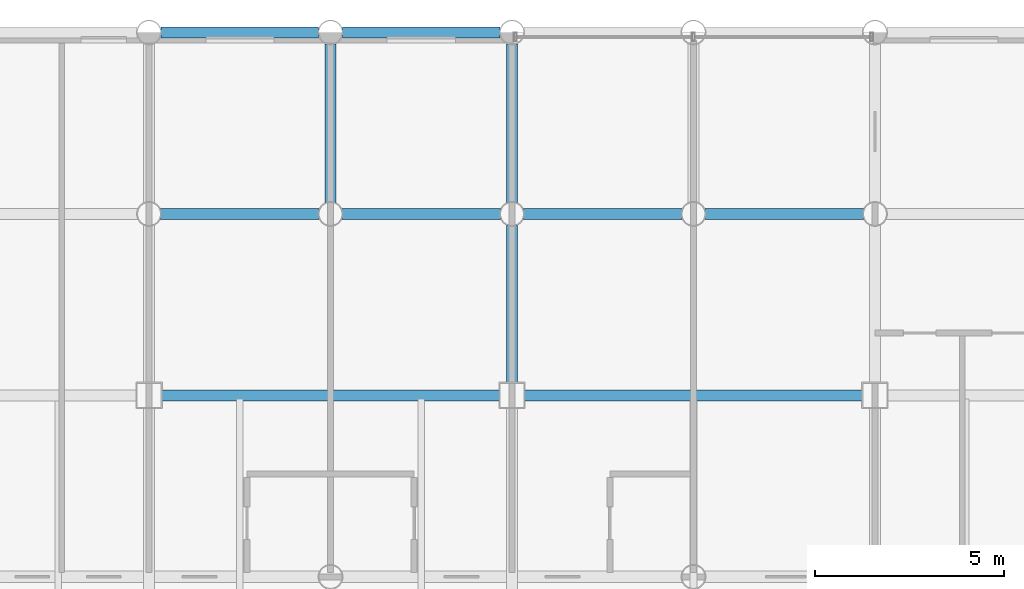
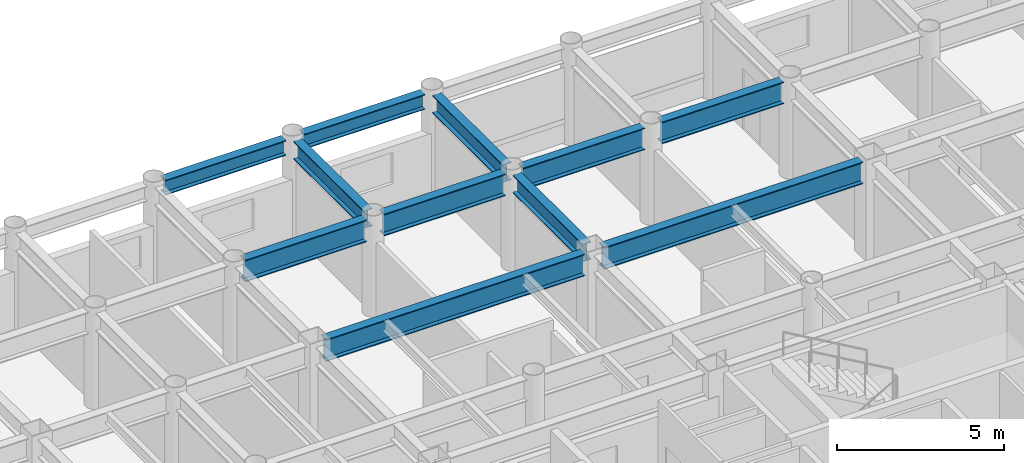
# One storey, part 12 of 22: 11 beams.
"""IFC4 building model written with IfcOpenShell, lengths in metres."""

from ifc_helpers import new_model, si_unit, direction, frame, origin, origin_2d, place, context, subcontext, project, spatial, i_section, extrude, material, material_profile, profile_set, type_object, element, save


model = new_model("IFC4")

# Units and contexts
model_context = context("Model", 3, precision=1e-05, world=origin(), true_north=direction((0.0, 1.0)))
body_context = subcontext(model_context, "Body", "Model", "MODEL_VIEW")
ifc_project = project(units=[si_unit("LENGTHUNIT", "METRE"), si_unit("AREAUNIT", "SQUARE_METRE"), si_unit("VOLUMEUNIT", "CUBIC_METRE"), si_unit("PLANEANGLEUNIT", "RADIAN"), si_unit("MASSUNIT", "GRAM", prefix="KILO")], contexts=[model_context])

# Site, building, storey
site_placement = place(None, origin())
site = spatial("IfcSite", under=ifc_project, at=site_placement, CompositionType="ELEMENT")
building_placement = place(site_placement, origin())
building = spatial("IfcBuilding", under=site, at=building_placement, Name="Kallvorn Hotel Tower", CompositionType="ELEMENT")
storey_placement = place(building_placement, frame((0.0, 0.0, 113.699951171875)))
storey = spatial("IfcBuildingStorey", under=building, at=storey_placement, Name="L27", CompositionType="ELEMENT", Elevation=113.699951171875)

# Beams
ifc_material_1 = material(Name="Structural steel S355JR", Category="steel")
ifc_material_profile_1 = material_profile(ifc_material_1, i_section(OverallWidth=0.300048828125, OverallDepth=0.550048828125, WebThickness=0.014892578125, FlangeThickness=0.029052734375, at=origin_2d()), Name="HE 550 B")
ifc_profile_set_1 = profile_set([ifc_material_profile_1], Name="Structural steel S355JR")
beam_type_1 = type_object("IfcBeamType", Name="BM_HE550B", PredefinedType="SPANDREL", material=ifc_profile_set_1)
beam_1_placement = place(storey_placement, frame((-14.080078125, 24.0, 3.2451171875), z_axis=(1.0, 0.0, 0.0), x_axis=(0.0, 1.0, 0.0)))
element("IfcBeam", 1, at=beam_1_placement, inside=storey, type_object=beam_type_1, Name="L28 Perimeter Spandrel 165", PredefinedType="SPANDREL", context=body_context, shape_type="SweptSolid", body=[
    extrude(i_section(OverallWidth=0.300048828125, OverallDepth=0.550048828125, WebThickness=0.014892578125, FlangeThickness=0.029052734375, at=origin_2d()), origin(), (0.0, 0.0, 1.0), 4.16015625),
])
beam_2_placement = place(storey_placement, frame((-9.280029296875, 24.0, 3.2451171875), z_axis=(1.0, 0.0, 0.0), x_axis=(0.0, 1.0, 0.0)))
element("IfcBeam", 2, at=beam_2_placement, inside=storey, type_object=beam_type_1, Name="L28 Perimeter Spandrel 166", PredefinedType="SPANDREL", context=body_context, shape_type="SweptSolid", body=[
    extrude(i_section(OverallWidth=0.300048828125, OverallDepth=0.550048828125, WebThickness=0.014892578125, FlangeThickness=0.029052734375, at=origin_2d()), origin(), (0.0, 0.0, 1.0), 4.159912109375),
])
ifc_material_2 = material(Name="Structural steel S355JR", Category="steel")
ifc_material_profile_2 = material_profile(ifc_material_2, i_section(OverallWidth=0.300048828125, OverallDepth=0.64990234375, WebThickness=0.01611328125, FlangeThickness=0.031005859375, at=origin_2d()), Name="HE 650 B")
ifc_profile_set_2 = profile_set([ifc_material_profile_2], Name="Structural steel S355JR")
beam_type_2 = type_object("IfcBeamType", Name="BM_HE650B", PredefinedType="BEAM", material=ifc_profile_set_2)
beam_3_placement = place(storey_placement, frame((-9.60009765625, 19.5048828125, 3.195068359375), z_axis=(0.0, 1.0, 0.0), x_axis=(-1.0, 0.0, 0.0)))
element("IfcBeam", 3, at=beam_3_placement, inside=storey, type_object=beam_type_2, Name="L28 Primary Y-Girder 104", PredefinedType="BEAM", context=body_context, shape_type="SweptSolid", body=[
    extrude(i_section(OverallWidth=0.300048828125, OverallDepth=0.64990234375, WebThickness=0.01611328125, FlangeThickness=0.031005859375, at=origin_2d()), origin(), (0.0, 0.0, 1.0), 4.190185546875),
])
beam_4_placement = place(storey_placement, frame((-4.800048828125, 14.72509765625, 3.195068359375), z_axis=(0.0, 1.0, 0.0), x_axis=(-1.0, 0.0, 0.0)))
element("IfcBeam", 4, at=beam_4_placement, inside=storey, type_object=beam_type_2, Name="L28 Primary Y-Girder 108", PredefinedType="BEAM", context=body_context, shape_type="SweptSolid", body=[
    extrude(i_section(OverallWidth=0.300048828125, OverallDepth=0.64990234375, WebThickness=0.01611328125, FlangeThickness=0.031005859375, at=origin_2d()), origin(), (0.0, 0.0, 1.0), 4.169921875),
])
beam_5_placement = place(storey_placement, frame((-4.800048828125, 19.5048828125, 3.195068359375), z_axis=(0.0, 1.0, 0.0), x_axis=(-1.0, 0.0, 0.0)))
element("IfcBeam", 5, at=beam_5_placement, inside=storey, type_object=beam_type_2, Name="L28 Primary Y-Girder 109", PredefinedType="BEAM", context=body_context, shape_type="SweptSolid", body=[
    extrude(i_section(OverallWidth=0.300048828125, OverallDepth=0.64990234375, WebThickness=0.01611328125, FlangeThickness=0.031005859375, at=origin_2d()), origin(), (0.0, 0.0, 1.0), 4.190185546875),
])
ifc_material_3 = material(Name="Structural steel S355JR", Category="steel")
ifc_material_profile_3 = material_profile(ifc_material_3, i_section(OverallWidth=0.300048828125, OverallDepth=0.800048828125, WebThickness=0.017578125, FlangeThickness=0.032958984375, at=origin_2d()), Name="HE 800 B")
ifc_profile_set_3 = profile_set([ifc_material_profile_3], Name="Structural steel S355JR")
beam_type_3 = type_object("IfcBeamType", Name="BM_HE800B", PredefinedType="BEAM", material=ifc_profile_set_3)
beam_6_placement = place(storey_placement, frame((-14.074951171875, 14.39990234375, 3.1201171875), z_axis=(1.0, 0.0, 0.0), x_axis=(0.0, 1.0, 0.0)))
element("IfcBeam", 6, at=beam_6_placement, inside=storey, type_object=beam_type_3, Name="L28 Primary X-Girder 53", PredefinedType="BEAM", context=body_context, shape_type="SweptSolid", body=[
    extrude(i_section(OverallWidth=0.300048828125, OverallDepth=0.800048828125, WebThickness=0.017578125, FlangeThickness=0.032958984375, at=origin_2d()), origin(), (0.0, 0.0, 1.0), 8.949951171875),
])
beam_7_placement = place(storey_placement, frame((-4.47509765625, 14.39990234375, 3.1201171875), z_axis=(1.0, 0.0, 0.0), x_axis=(0.0, 1.0, 0.0)))
element("IfcBeam", 7, at=beam_7_placement, inside=storey, type_object=beam_type_3, Name="L28 Primary X-Girder 54", PredefinedType="BEAM", context=body_context, shape_type="SweptSolid", body=[
    extrude(i_section(OverallWidth=0.300048828125, OverallDepth=0.800048828125, WebThickness=0.017578125, FlangeThickness=0.032958984375, at=origin_2d()), origin(), (0.0, 0.0, 1.0), 8.9501953125),
])
for number, where, z_axis, x_axis, name in (
    (8, (-14.094970703125, 19.199951171875, 3.1201171875), (1.0, 0.0, 0.0), (0.0, 1.0, 0.0), "L28 Primary X-Girder 63"),
    (9, (-9.294921875, 19.199951171875, 3.1201171875), (1.0, 0.0, 0.0), (0.0, 1.0, 0.0), "L28 Primary X-Girder 64"),
):
    element("IfcBeam", number, at=place(storey_placement, frame(where, z_axis=z_axis, x_axis=x_axis)), inside=storey, type_object=beam_type_3, Name=name, PredefinedType="BEAM", context=body_context, shape_type="SweptSolid", body=[
        extrude(i_section(OverallWidth=0.300048828125, OverallDepth=0.800048828125, WebThickness=0.017578125, FlangeThickness=0.032958984375, at=origin_2d()), origin(), (0.0, 0.0, 1.0), 4.18994140625),
    ])
for number, where, z_axis, x_axis, name in (
    (10, (-4.4951171875, 19.199951171875, 3.1201171875), (1.0, 0.0, 0.0), (0.0, 1.0, 0.0), "L28 Primary X-Girder 65"),
    (11, (0.304931640625, 19.199951171875, 3.1201171875), (1.0, 0.0, 0.0), (0.0, 1.0, 0.0), "L28 Primary X-Girder 66"),
):
    element("IfcBeam", number, at=place(storey_placement, frame(where, z_axis=z_axis, x_axis=x_axis)), inside=storey, type_object=beam_type_3, Name=name, PredefinedType="BEAM", context=body_context, shape_type="SweptSolid", body=[
        extrude(i_section(OverallWidth=0.300048828125, OverallDepth=0.800048828125, WebThickness=0.017578125, FlangeThickness=0.032958984375, at=origin_2d()), origin(), (0.0, 0.0, 1.0), 4.190185546875),
    ])

save(model, "model.ifc")
